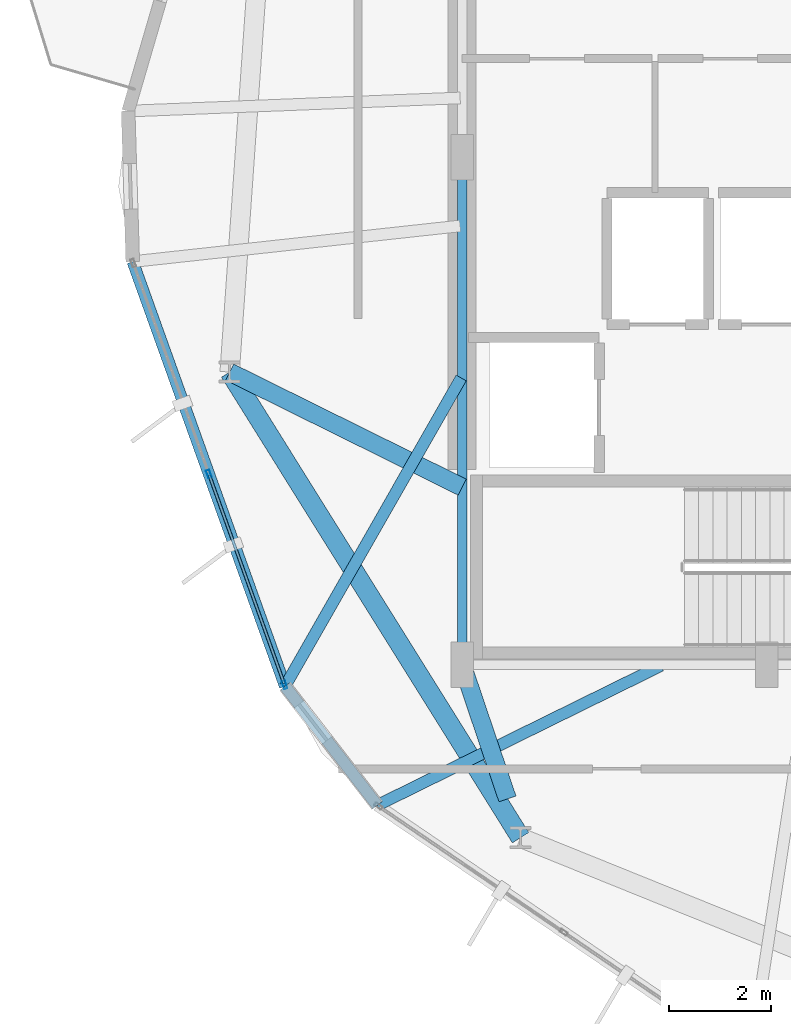
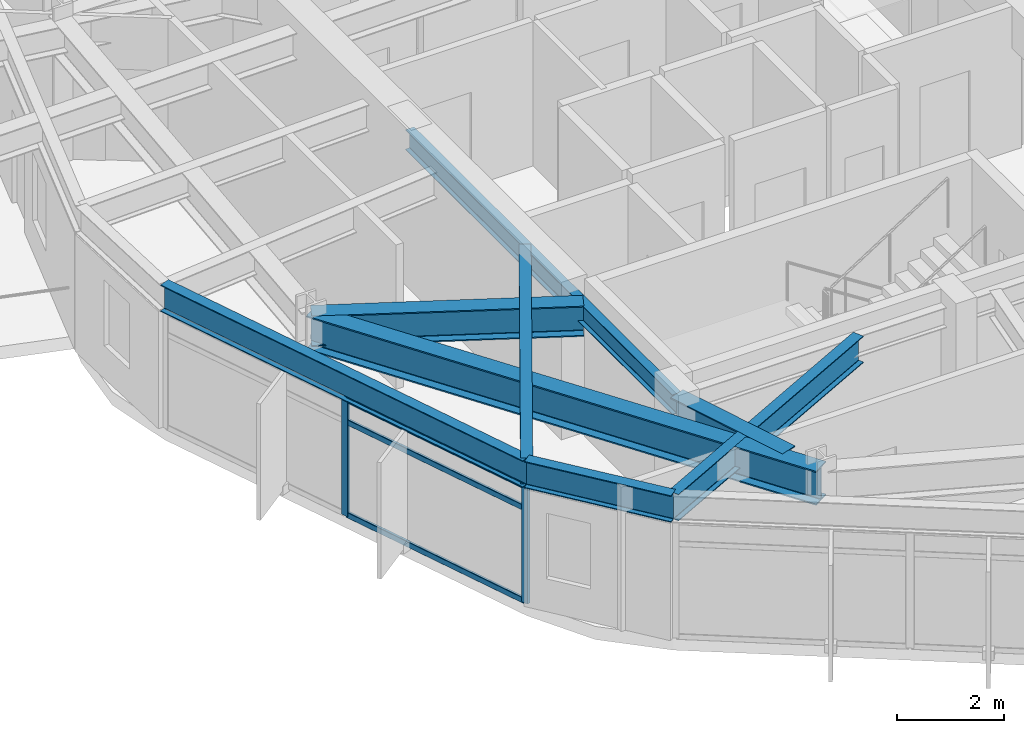
# One storey, part 3 of 23: 8 beams, 5 members, 1 element without a shape of its own.
"""IFC4 building model written with IfcOpenShell, lengths in metres."""

from ifc_helpers import new_model, si_unit, direction, frame, origin, origin_2d, place, context, subcontext, project, spatial, hollow_rectangle, i_section, extrude, material, layer, layer_set, material_profile, profile_set, type_object, element, aggregate, save


model = new_model("IFC4")

# Units and contexts
model_context = context("Model", 3, precision=1e-05, world=origin(), true_north=direction((0.0, 1.0)))
body_context = subcontext(model_context, "Body", "Model", "MODEL_VIEW")
ifc_project = project(units=[si_unit("LENGTHUNIT", "METRE"), si_unit("AREAUNIT", "SQUARE_METRE"), si_unit("VOLUMEUNIT", "CUBIC_METRE"), si_unit("PLANEANGLEUNIT", "RADIAN"), si_unit("MASSUNIT", "GRAM", prefix="KILO")], contexts=[model_context])

# Site, building, storey
site_placement = place(None, origin())
site = spatial("IfcSite", under=ifc_project, at=site_placement, CompositionType="ELEMENT")
building_placement = place(site_placement, origin())
building = spatial("IfcBuilding", under=site, at=building_placement, Name="Soratama Intermodal Tower", CompositionType="ELEMENT")
storey_placement = place(building_placement, frame((0.0, 0.0, 171.39990234375)))
storey = spatial("IfcBuildingStorey", under=building, at=storey_placement, Name="L42", CompositionType="ELEMENT", Elevation=171.39990234375)

# Beams
ifc_material_1 = material(Name="Structural steel ASTM A992 Grade 50", Category="steel")
ifc_material_profile_1 = material_profile(ifc_material_1, i_section(OverallWidth=0.19091796875, OverallDepth=0.4599609375, WebThickness=0.010009765625, FlangeThickness=0.01611328125, FilletRadius=0.010986328125, at=origin_2d()), Name="W18X55")
ifc_profile_set_1 = profile_set([ifc_material_profile_1], Name="Structural steel ASTM A992 Grade 50")
beam_type_1 = type_object("IfcBeamType", Name="BM-FLR-W18X55", PredefinedType="BEAM", material=ifc_profile_set_1)
beam_1_placement = place(storey_placement, frame((32.60009765625, 25.0, 3.070068359375), z_axis=(0.0, -1.0, 0.0), x_axis=(1.0, 0.0, 0.0)))
element("IfcBeam", 1, at=beam_1_placement, inside=storey, type_object=beam_type_1, Name="BM-L42-CRING-09", PredefinedType="BEAM", context=body_context, shape_type="SweptSolid", body=[
    extrude(i_section(OverallWidth=0.19091796875, OverallDepth=0.4599609375, WebThickness=0.010009765625, FlangeThickness=0.01611328125, FilletRadius=0.010986328125, at=origin_2d()), origin(), (0.0, 0.0, 1.0), 10.0),
])
ifc_material_2 = material(Name="Structural steel ASTM A992 Grade 50", Category="steel")
ifc_material_profile_2 = material_profile(ifc_material_2, i_section(OverallWidth=0.35498046875, OverallDepth=0.695068359375, WebThickness=0.015380859375, FlangeThickness=0.02490234375, FilletRadius=0.01611328125, at=origin_2d()), Name="W27X146")
ifc_profile_set_2 = profile_set([ifc_material_profile_2], Name="Structural steel ASTM A992 Grade 50")
beam_type_2 = type_object("IfcBeamType", Name="BM-RING-W27X146", PredefinedType="BEAM", material=ifc_profile_set_2)
beam_2_placement = place(storey_placement, frame((32.60009765625, 18.5, 2.95263671875), z_axis=(-0.89629219718, 0.443463975172, 0.0), x_axis=(-0.443463975172, -0.89629219718, 0.0)))
element("IfcBeam", 2, at=beam_2_placement, inside=storey, type_object=beam_type_2, Name="BM-L42-RAD-06", PredefinedType="BEAM", context=body_context, shape_type="SweptSolid", body=[
    extrude(i_section(OverallWidth=0.35498046875, OverallDepth=0.695068359375, WebThickness=0.015380859375, FlangeThickness=0.02490234375, FilletRadius=0.01611328125, at=origin_2d()), origin(), (0.0, 0.0, 1.0), 5.110107421875),
])
beam_3_placement = place(storey_placement, frame((32.60009765625, 15.0, 2.95263671875), z_axis=(0.32013816754, -0.947370863856, 0.0), x_axis=(0.947370863856, 0.32013816754, 0.0)))
element("IfcBeam", 3, at=beam_3_placement, inside=storey, type_object=beam_type_2, Name="BM-L42-RAD-07", PredefinedType="BEAM", context=body_context, shape_type="SweptSolid", body=[
    extrude(i_section(OverallWidth=0.35498046875, OverallDepth=0.695068359375, WebThickness=0.015380859375, FlangeThickness=0.02490234375, FilletRadius=0.01611328125, at=origin_2d()), origin(), (0.0, 0.0, 1.0), 2.788818359375),
])
ifc_material_3 = material(Name="Structural steel ASTM A992 Grade 50", Category="steel")
ifc_material_profile_3 = material_profile(ifc_material_3, i_section(OverallWidth=0.382080078125, OverallDepth=0.779052734375, WebThickness=0.01806640625, FlangeThickness=0.030029296875, FilletRadius=0.01806640625, at=origin_2d()), Name="W30X191")
ifc_profile_set_3 = profile_set([ifc_material_profile_3], Name="Structural steel ASTM A992 Grade 50")
beam_type_3 = type_object("IfcBeamType", Name="BM-RING-W30X191", PredefinedType="BEAM", material=ifc_profile_set_3)
beam_4_placement = place(storey_placement, frame((28.02001953125, 20.76611328125, 2.91064453125), z_axis=(0.529891394359, -0.84806551055, 0.0), x_axis=(0.84806551055, 0.529891394359, 0.0)))
element("IfcBeam", 4, at=beam_4_placement, inside=storey, type_object=beam_type_3, Name="BM-L42-RING-06", PredefinedType="BEAM", context=body_context, shape_type="SweptSolid", body=[
    extrude(i_section(OverallWidth=0.382080078125, OverallDepth=0.779052734375, WebThickness=0.01806640625, FlangeThickness=0.030029296875, FilletRadius=0.01806640625, at=origin_2d()), origin(), (0.0, 0.0, 1.0), 10.8154296875),
])
ifc_material_4 = material(Name="Structural steel ASTM A992 Grade 50", Category="steel")
ifc_material_profile_4 = material_profile(ifc_material_4, i_section(OverallWidth=0.22900390625, OverallDepth=0.612060546875, WebThickness=0.011962890625, FlangeThickness=0.01953125, FilletRadius=0.012939453125, at=origin_2d()), Name="W24X84")
ifc_profile_set_4 = profile_set([ifc_material_profile_4], Name="Structural steel ASTM A992 Grade 50")
beam_type_4 = type_object("IfcBeamType", Name="BM-SPN-W24X84", PredefinedType="SPANDREL", material=ifc_profile_set_4)
beam_5_placement = place(storey_placement, frame((26.110107421875, 22.94189453125, 2.994140625), z_axis=(0.33771622403, -0.941247975842, 0.0), x_axis=(0.941247975842, 0.33771622403, 0.0)))
element("IfcBeam", 5, at=beam_5_placement, inside=storey, type_object=beam_type_4, Name="BS-L42-F05", PredefinedType="SPANDREL", context=body_context, shape_type="SweptSolid", body=[
    extrude(i_section(OverallWidth=0.22900390625, OverallDepth=0.612060546875, WebThickness=0.011962890625, FlangeThickness=0.01953125, FilletRadius=0.012939453125, at=origin_2d()), origin(), (0.0, 0.0, 1.0), 8.885986328125),
])
beam_6_placement = place(storey_placement, frame((29.111083984375, 14.577880859375, 2.994140625), z_axis=(0.612110117852, -0.790772535956, 0.0), x_axis=(0.790772535956, 0.612110117852, 0.0)))
element("IfcBeam", 6, at=beam_6_placement, inside=storey, type_object=beam_type_4, Name="BS-L42-CRN05", PredefinedType="SPANDREL", context=body_context, shape_type="SweptSolid", body=[
    extrude(i_section(OverallWidth=0.22900390625, OverallDepth=0.612060546875, WebThickness=0.011962890625, FlangeThickness=0.01953125, FilletRadius=0.012939453125, at=origin_2d()), origin(), (0.0, 0.0, 1.0), 2.966552734375),
])
ifc_material_5 = material(Name="Structural steel ASTM A992 Grade 50", Category="steel")
ifc_material_profile_5 = material_profile(ifc_material_5, i_section(OverallWidth=0.22900390625, OverallDepth=0.612060546875, WebThickness=0.011962890625, FlangeThickness=0.01953125, FilletRadius=0.012939453125, at=origin_2d()), Name="W24X84")
ifc_profile_set_5 = profile_set([ifc_material_profile_5], Name="Structural steel ASTM A992 Grade 50")
beam_type_5 = type_object("IfcBeamType", Name="BM-TIE-W24X84", PredefinedType="BEAM", material=ifc_profile_set_5)
beam_7_placement = place(storey_placement, frame((32.580078125, 20.64990234375, 2.994140625), z_axis=(-0.496059982211, -0.86828825516, 0.0), x_axis=(0.86828825516, -0.496059982211, 0.0)))
element("IfcBeam", 7, at=beam_7_placement, inside=storey, type_object=beam_type_5, Name="BM-L42-TIE1-05", PredefinedType="BEAM", context=body_context, shape_type="SweptSolid", body=[
    extrude(i_section(OverallWidth=0.22900390625, OverallDepth=0.612060546875, WebThickness=0.011962890625, FlangeThickness=0.01953125, FilletRadius=0.012939453125, at=origin_2d()), origin(), (0.0, 0.0, 1.0), 6.9931640625),
])
beam_8_placement = place(storey_placement, frame((36.512939453125, 14.98193359375, 2.994140625), z_axis=(-0.897170676041, -0.441684025128, 0.0), x_axis=(0.441684025128, -0.897170676041, 0.0)))
element("IfcBeam", 8, at=beam_8_placement, inside=storey, type_object=beam_type_5, Name="BM-L42-TIE0-06", PredefinedType="BEAM", context=body_context, shape_type="SweptSolid", body=[
    extrude(i_section(OverallWidth=0.22900390625, OverallDepth=0.612060546875, WebThickness=0.011962890625, FlangeThickness=0.01953125, FilletRadius=0.012939453125, at=origin_2d()), origin(), (0.0, 0.0, 1.0), 6.22607421875),
])

# Curtain wall, members
ifc_material_6 = material(Name="Double-glazed aluminium curtain wall", Category="aluminium")
ifc_layer = layer(ifc_material_6, 0.159912109375)
ifc_layer_set = layer_set([ifc_layer], Name="Double-glazed aluminium curtain wall")
curtain_wall_type = type_object("IfcCurtainWallType", Name="CW-SYS-4", PredefinedType="NOTDEFINED", material=ifc_layer_set)
curtain_wall_placement = place(storey_placement, origin())
curtain_wall = element("IfcCurtainWall", 9, at=curtain_wall_placement, inside=storey, type_object=curtain_wall_type, Name="L42 Faceted Curtain Wall F05", PredefinedType="NOTDEFINED")
ifc_material_7 = material(Name="Anodised aluminium AA 6063-T6", Category="aluminium")
ifc_material_profile_6 = material_profile(ifc_material_7, hollow_rectangle(XDim=0.070068359375, YDim=0.159912109375, WallThickness=0.0048828125, InnerFilletRadius=0.0048828125, OuterFilletRadius=0.010009765625, at=origin_2d()), Name="CWM160X70X5")
ifc_profile_set_6 = profile_set([ifc_material_profile_6], Name="Anodised aluminium AA 6063-T6")
member_type_1 = type_object("IfcMemberType", Name="MT-CWM-4", PredefinedType="MULLION", material=ifc_profile_set_6)
member_1_placement = place(storey_placement, frame((27.6103515625, 18.760009765625, 0.0), z_axis=(0.0, 0.0, 1.0), x_axis=(0.94123549358, 0.337751011288, 0.0)))
member_1 = element("IfcMember", 10, at=member_1_placement, type_object=member_type_1, Name="CW-4 mullion 2", PredefinedType="MULLION", context=body_context, shape_type="SweptSolid", body=[
    extrude(hollow_rectangle(XDim=0.070068359375, YDim=0.159912109375, WallThickness=0.0048828125, InnerFilletRadius=0.0048828125, OuterFilletRadius=0.010009765625, at=origin_2d()), origin(), (0.0, 0.0, 1.0), 2.67919921875),
])
member_2_placement = place(storey_placement, frame((29.10107421875, 14.60595703125, 0.0), z_axis=(0.0, 0.0, 1.0), x_axis=(0.94123549358, 0.337751011288, 0.0)))
member_2 = element("IfcMember", 11, at=member_2_placement, type_object=member_type_1, Name="CW-4 mullion 3", PredefinedType="MULLION", context=body_context, shape_type="SweptSolid", body=[
    extrude(hollow_rectangle(XDim=0.070068359375, YDim=0.159912109375, WallThickness=0.0048828125, InnerFilletRadius=0.0048828125, OuterFilletRadius=0.010009765625, at=origin_2d()), origin(), (0.0, 0.0, 1.0), 2.67919921875),
])
ifc_material_8 = material(Name="Anodised aluminium AA 6063-T6", Category="aluminium")
ifc_material_profile_7 = material_profile(ifc_material_8, hollow_rectangle(XDim=0.06005859375, YDim=0.1298828125, WallThickness=0.0048828125, InnerFilletRadius=0.0048828125, OuterFilletRadius=0.010009765625, at=origin_2d()), Name="CWT130X60X5")
ifc_profile_set_7 = profile_set([ifc_material_profile_7], Name="Anodised aluminium AA 6063-T6")
member_type_2 = type_object("IfcMemberType", Name="TT-CWT-2", PredefinedType="USERDEFINED", material=ifc_profile_set_7)
member_3_placement = place(storey_placement, frame((27.62060546875, 18.731689453125, 0.030029296875), z_axis=(0.337732267473, -0.941242219361, 0.0), x_axis=(0.941242219361, 0.337732267473, 0.0)))
member_3 = element("IfcMember", 12, at=member_3_placement, type_object=member_type_2, Name="CW-4 transom 2.1", ObjectType="TRANSOM", PredefinedType="USERDEFINED", context=body_context, shape_type="SweptSolid", body=[
    extrude(hollow_rectangle(XDim=0.06005859375, YDim=0.1298828125, WallThickness=0.0048828125, InnerFilletRadius=0.0048828125, OuterFilletRadius=0.010009765625, at=origin_2d()), origin(), (0.0, 0.0, 1.0), 4.353271484375),
])
member_4_placement = place(storey_placement, frame((27.62060546875, 18.731689453125, 2.150146484375), z_axis=(0.337732267473, -0.941242219361, 0.0), x_axis=(0.941242219361, 0.337732267473, 0.0)))
member_4 = element("IfcMember", 13, at=member_4_placement, type_object=member_type_2, Name="CW-4 transom 2.2", ObjectType="TRANSOM", PredefinedType="USERDEFINED", context=body_context, shape_type="SweptSolid", body=[
    extrude(hollow_rectangle(XDim=0.06005859375, YDim=0.1298828125, WallThickness=0.0048828125, InnerFilletRadius=0.0048828125, OuterFilletRadius=0.010009765625, at=origin_2d()), origin(), (0.0, 0.0, 1.0), 4.353271484375),
])
member_5_placement = place(storey_placement, frame((27.62060546875, 18.731689453125, 2.649169921875), z_axis=(0.337732267473, -0.941242219361, 0.0), x_axis=(0.941242219361, 0.337732267473, 0.0)))
member_5 = element("IfcMember", 14, at=member_5_placement, type_object=member_type_2, Name="CW-4 transom 2.3", ObjectType="TRANSOM", PredefinedType="USERDEFINED", context=body_context, shape_type="SweptSolid", body=[
    extrude(hollow_rectangle(XDim=0.06005859375, YDim=0.1298828125, WallThickness=0.0048828125, InnerFilletRadius=0.0048828125, OuterFilletRadius=0.010009765625, at=origin_2d()), origin(), (0.0, 0.0, 1.0), 4.353271484375),
])
aggregate(curtain_wall, [member_1, member_2, member_3, member_4, member_5])

save(model, "model.ifc")
